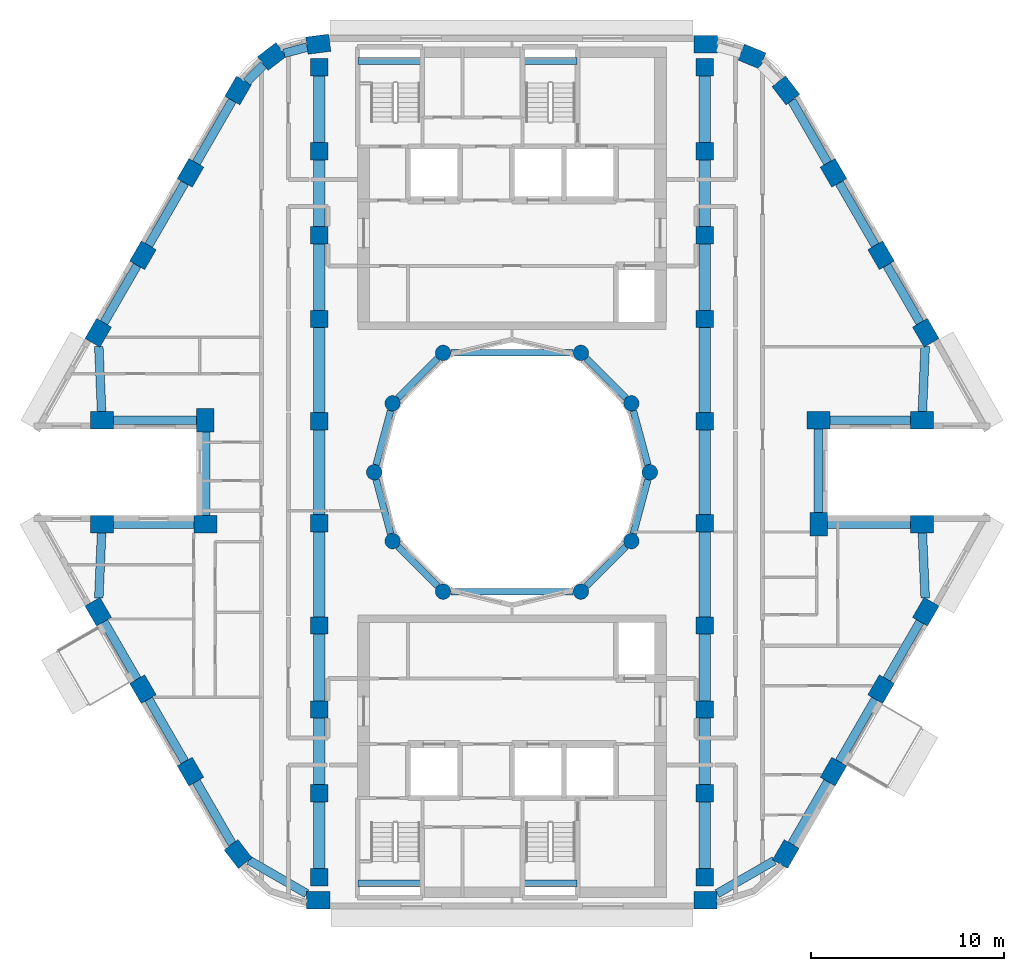
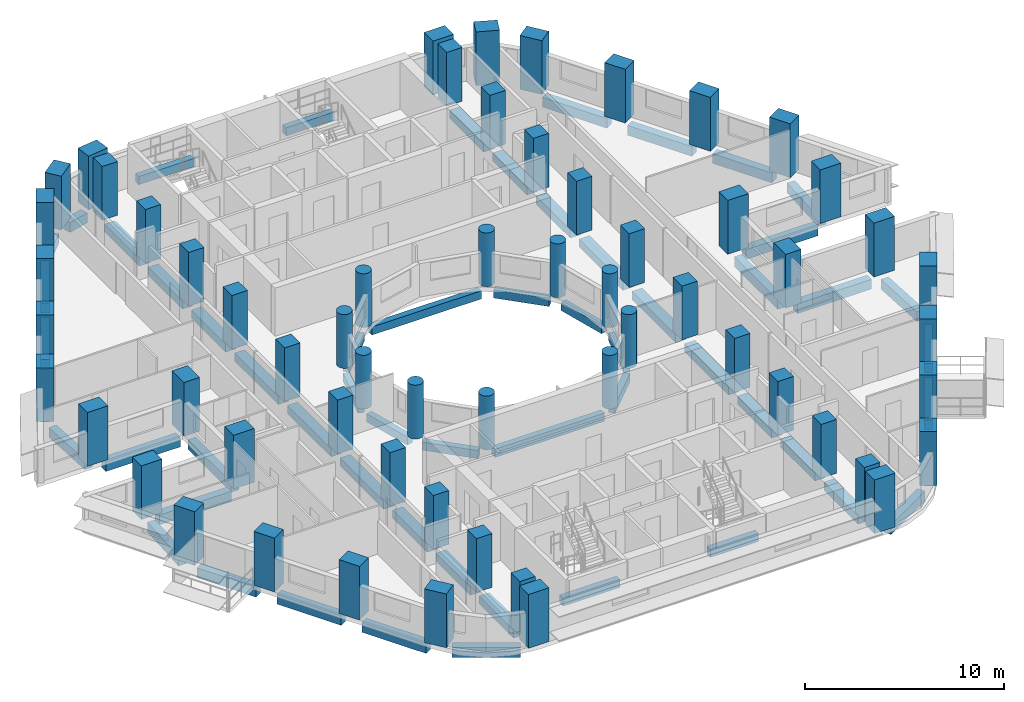
# One storey, part 1 of 15: 60 columns, 58 beams.
"""IFC4 building model written with IfcOpenShell, lengths in metres."""

from ifc_helpers import new_model, si_unit, direction, frame, origin, origin_2d, place, context, subcontext, project, spatial, rectangle, circle, extrude, material, material_profile, profile_set, type_object, element, save


model = new_model("IFC4")

# Units and contexts
model_context = context("Model", 3, precision=1e-05, world=origin(), true_north=direction((0.0, 1.0)))
body_context = subcontext(model_context, "Body", "Model", "MODEL_VIEW")
ifc_project = project(units=[si_unit("LENGTHUNIT", "METRE"), si_unit("AREAUNIT", "SQUARE_METRE"), si_unit("VOLUMEUNIT", "CUBIC_METRE"), si_unit("PLANEANGLEUNIT", "RADIAN"), si_unit("MASSUNIT", "GRAM", prefix="KILO")], contexts=[model_context])

# Site, building, storey
site_placement = place(None, origin())
site = spatial("IfcSite", under=ifc_project, at=site_placement, CompositionType="ELEMENT")
building_placement = place(site_placement, origin())
building = spatial("IfcBuilding", under=site, at=building_placement, Name="Nakaniwa Court", CompositionType="ELEMENT")
storey_placement = place(building_placement, frame((0.0, 0.0, 216.300048828125)))
storey = spatial("IfcBuildingStorey", under=building, at=storey_placement, Name="L57", CompositionType="ELEMENT", Elevation=216.300048828125)

# Columns
ifc_material = material(Name="Concrete C80/100", Category="concrete")
ifc_material_profile_1 = material_profile(ifc_material, rectangle(XDim=1.199951171875, YDim=0.89990234375, at=origin_2d()), Name="Concrete C80/100 RC 1200x900 perimeter column")
ifc_profile_set_1 = profile_set([ifc_material_profile_1], Name="Concrete C80/100")
column_type_1 = type_object("IfcColumnType", Name="Concrete C80/100 RC 1200x900 perimeter column", PredefinedType="COLUMN", material=ifc_profile_set_1)
for number, where, z_axis, x_axis, name in (
    (1, (69.95458984375, 102.199951171875, 0.0), (0.0, 0.0, 1.0), (-0.991442583111, -0.130543496177, 0.0), "COLUMN CO-01"),
    (2, (67.552001953125, 101.560302734375, 0.0), (0.0, 0.0, 1.0), (-0.793363965062, -0.608747582288, 0.0), "COLUMN CO-02"),
    (3, (65.796875, 99.799560546875, 0.0), (0.0, 0.0, 1.0), (-0.5, -0.866025403784, 0.0), "COLUMN CO-03"),
    (4, (63.328857421875, 95.524658203125, 0.0), (0.0, 0.0, 1.0), (-0.5, -0.866025403784, 0.0), "COLUMN CO-04"),
    (5, (60.860595703125, 91.249755859375, 0.0), (0.0, 0.0, 1.0), (-0.5, -0.866025403784, 0.0), "COLUMN CO-05"),
    (6, (58.541015625, 87.232177734375, 0.0), (0.0, 0.0, 1.0), (-0.5, -0.866025403784, 0.0), "COLUMN CO-06"),
    (7, (58.736083984375, 82.699951171875, 0.0), (0.0, 0.0, 1.0), (1.0, 0.0, 0.0), "COLUMN CO-08"),
    (8, (64.1005859375, 82.699951171875, 0.0), (0.0, 0.0, 1.0), (0.0, -1.0, 0.0), "COLUMN CO-09"),
    (9, (64.1005859375, 77.300048828125, 0.0), (0.0, 0.0, 1.0), (-1.0, 0.0, 0.0), "COLUMN CO-10"),
    (10, (58.736083984375, 77.300048828125, 0.0), (0.0, 0.0, 1.0), (-1.0, 0.0, 0.0), "COLUMN CO-11"),
    (11, (58.541015625, 72.767822265625, 0.0), (0.0, 0.0, 1.0), (0.5, -0.866025403784, 0.0), "COLUMN CO-13"),
    (12, (60.860595703125, 68.750244140625, 0.0), (0.0, 0.0, 1.0), (0.5, -0.866025403784, 0.0), "COLUMN CO-14"),
    (13, (63.328857421875, 64.475341796875, 0.0), (0.0, 0.0, 1.0), (0.5, -0.866025403784, 0.0), "COLUMN CO-15"),
    (14, (65.796875, 60.200439453125, 0.0), (0.0, 0.0, 1.0), (0.608761429009, -0.793353340291, 0.0), "COLUMN CO-16"),
    (15, (69.95458984375, 57.800048828125, 0.0), (0.0, 0.0, 1.0), (1.0, 0.0, 0.0), "COLUMN CO-17"),
    (16, (90.03955078125, 57.800048828125, 0.0), (0.0, 0.0, 1.0), (1.0, 0.0, 0.0), "COLUMN CO-21"),
    (17, (94.203125, 60.200439453125, 0.0), (0.0, 0.0, 1.0), (0.5, 0.866025403784, 0.0), "COLUMN CO-22"),
    (18, (96.671142578125, 64.475341796875, 0.0), (0.0, 0.0, 1.0), (0.5, 0.866025403784, 0.0), "COLUMN CO-23"),
    (19, (99.139404296875, 68.750244140625, 0.0), (0.0, 0.0, 1.0), (0.5, 0.866025403784, 0.0), "COLUMN CO-24"),
    (20, (101.458984375, 72.767822265625, 0.0), (0.0, 0.0, 1.0), (0.5, 0.866025403784, 0.0), "COLUMN CO-25"),
    (21, (101.263916015625, 77.300048828125, 0.0), (0.0, 0.0, 1.0), (-1.0, 0.0, 0.0), "COLUMN CO-27"),
    (22, (95.8994140625, 77.300048828125, 0.0), (0.0, 0.0, 1.0), (0.0, 1.0, 0.0), "COLUMN CO-28"),
    (23, (95.8994140625, 82.699951171875, 0.0), (0.0, 0.0, 1.0), (1.0, 0.0, 0.0), "COLUMN CO-29"),
    (24, (101.263916015625, 82.699951171875, 0.0), (0.0, 0.0, 1.0), (1.0, 0.0, 0.0), "COLUMN CO-30"),
    (25, (101.458984375, 87.232177734375, 0.0), (0.0, 0.0, 1.0), (-0.5, 0.866025403784, 0.0), "COLUMN CO-32"),
    (26, (99.139404296875, 91.249755859375, 0.0), (0.0, 0.0, 1.0), (-0.5, 0.866025403784, 0.0), "COLUMN CO-33"),
    (27, (96.671142578125, 95.524658203125, 0.0), (0.0, 0.0, 1.0), (-0.5, 0.866025403784, 0.0), "COLUMN CO-34"),
    (28, (94.203125, 99.799560546875, 0.0), (0.0, 0.0, 1.0), (-0.608761429009, 0.793353340291, 0.0), "COLUMN CO-35"),
    (29, (92.447998046875, 101.560302734375, 0.0), (0.0, 0.0, 1.0), (-0.923879532511, 0.382683432365, 0.0), "COLUMN CO-36"),
    (30, (90.04541015625, 102.199951171875, 0.0), (0.0, 0.0, 1.0), (-1.0, 0.0, 0.0), "COLUMN CO-37"),
):
    element("IfcColumn", number, at=place(storey_placement, frame(where, z_axis=z_axis, x_axis=x_axis)), inside=storey, type_object=column_type_1, Name=name, PredefinedType="COLUMN", context=body_context, shape_type="SweptSolid", body=[
        extrude(rectangle(XDim=1.199951171875, YDim=0.89990234375, at=origin_2d()), origin(), (0.0, 0.0, 1.0), 3.300048828125),
    ])
ifc_material_profile_2 = material_profile(ifc_material, rectangle(XDim=0.89990234375, YDim=0.89990234375, at=origin_2d()), Name="Concrete C80/100 RC 900x900 spine column")
ifc_profile_set_2 = profile_set([ifc_material_profile_2], Name="Concrete C80/100")
column_type_2 = type_object("IfcColumnType", Name="Concrete C80/100 RC 900x900 spine column", PredefinedType="COLUMN", material=ifc_profile_set_2)
for number, where, z_axis, x_axis, name in (
    (31, (90.0, 59.0, 0.0), (0.0, 0.0, 1.0), (0.0, 1.0, 0.0), "COLUMN CS-01"),
    (32, (90.0, 63.35009765625, 0.0), (0.0, 0.0, 1.0), (0.0, 1.0, 0.0), "COLUMN CS-02"),
    (33, (90.0, 67.699951171875, 0.0), (0.0, 0.0, 1.0), (0.0, 1.0, 0.0), "COLUMN CS-03"),
    (34, (90.0, 72.050048828125, 0.0), (0.0, 0.0, 1.0), (0.0, 1.0, 0.0), "COLUMN CS-04"),
    (35, (90.0, 77.35009765625, 0.0), (0.0, 0.0, 1.0), (0.0, 1.0, 0.0), "COLUMN CS-05"),
    (36, (90.0, 82.64990234375, 0.0), (0.0, 0.0, 1.0), (0.0, 1.0, 0.0), "COLUMN CS-06"),
    (37, (90.0, 87.949951171875, 0.0), (0.0, 0.0, 1.0), (0.0, 1.0, 0.0), "COLUMN CS-07"),
    (38, (90.0, 92.300048828125, 0.0), (0.0, 0.0, 1.0), (0.0, 1.0, 0.0), "COLUMN CS-08"),
    (39, (90.0, 96.64990234375, 0.0), (0.0, 0.0, 1.0), (0.0, 1.0, 0.0), "COLUMN CS-09"),
    (40, (90.0, 101.0, 0.0), (0.0, 0.0, 1.0), (0.0, 1.0, 0.0), "COLUMN CS-10"),
    (41, (70.0, 101.0, 0.0), (0.0, 0.0, 1.0), (0.0, -1.0, 0.0), "COLUMN CS-11"),
    (42, (70.0, 96.64990234375, 0.0), (0.0, 0.0, 1.0), (0.0, -1.0, 0.0), "COLUMN CS-12"),
    (43, (70.0, 92.300048828125, 0.0), (0.0, 0.0, 1.0), (0.0, -1.0, 0.0), "COLUMN CS-13"),
    (44, (70.0, 87.949951171875, 0.0), (0.0, 0.0, 1.0), (0.0, -1.0, 0.0), "COLUMN CS-14"),
    (45, (70.0, 82.64990234375, 0.0), (0.0, 0.0, 1.0), (0.0, -1.0, 0.0), "COLUMN CS-15"),
    (46, (70.0, 77.35009765625, 0.0), (0.0, 0.0, 1.0), (0.0, -1.0, 0.0), "COLUMN CS-16"),
    (47, (70.0, 72.050048828125, 0.0), (0.0, 0.0, 1.0), (0.0, -1.0, 0.0), "COLUMN CS-17"),
    (48, (70.0, 67.699951171875, 0.0), (0.0, 0.0, 1.0), (0.0, -1.0, 0.0), "COLUMN CS-18"),
    (49, (70.0, 63.35009765625, 0.0), (0.0, 0.0, 1.0), (0.0, -1.0, 0.0), "COLUMN CS-19"),
    (50, (70.0, 59.0, 0.0), (0.0, 0.0, 1.0), (0.0, -1.0, 0.0), "COLUMN CS-20"),
):
    element("IfcColumn", number, at=place(storey_placement, frame(where, z_axis=z_axis, x_axis=x_axis)), inside=storey, type_object=column_type_2, Name=name, PredefinedType="COLUMN", context=body_context, shape_type="SweptSolid", body=[
        extrude(rectangle(XDim=0.89990234375, YDim=0.89990234375, at=origin_2d()), origin(), (0.0, 0.0, 1.0), 3.300048828125),
    ])
ifc_material_profile_3 = material_profile(ifc_material, circle(Radius=0.39990234375, at=origin_2d()), Name="Concrete C80/100 RC D800 inner ring column")
ifc_profile_set_3 = profile_set([ifc_material_profile_3], Name="Concrete C80/100")
column_type_3 = type_object("IfcColumnType", Name="Concrete C80/100 RC D800 inner ring column", PredefinedType="COLUMN", material=ifc_profile_set_3)
for number, where, z_axis, x_axis, name in (
    (51, (87.14990234375, 80.0, 0.0), (0.0, 0.0, 1.0), (0.0, 1.0, 0.0), "COLUMN CI-01"),
    (52, (86.192138671875, 83.574951171875, 0.0), (0.0, 0.0, 1.0), (-0.5, 0.866025403784, 0.0), "COLUMN CI-02"),
    (53, (83.574951171875, 86.192138671875, 0.0), (0.0, 0.0, 1.0), (-0.866025403784, 0.5, 0.0), "COLUMN CI-03"),
    (54, (76.425048828125, 86.192138671875, 0.0), (0.0, 0.0, 1.0), (-0.866025403784, -0.5, 0.0), "COLUMN CI-05"),
    (55, (73.807861328125, 83.574951171875, 0.0), (0.0, 0.0, 1.0), (-0.5, -0.866025403784, 0.0), "COLUMN CI-06"),
    (56, (72.85009765625, 80.0, 0.0), (0.0, 0.0, 1.0), (0.0, -1.0, 0.0), "COLUMN CI-07"),
    (57, (73.807861328125, 76.425048828125, 0.0), (0.0, 0.0, 1.0), (0.5, -0.866025403784, 0.0), "COLUMN CI-08"),
    (58, (76.425048828125, 73.807861328125, 0.0), (0.0, 0.0, 1.0), (0.866025403784, -0.5, 0.0), "COLUMN CI-09"),
    (59, (83.574951171875, 73.807861328125, 0.0), (0.0, 0.0, 1.0), (0.866025403784, 0.5, 0.0), "COLUMN CI-11"),
    (60, (86.192138671875, 76.425048828125, 0.0), (0.0, 0.0, 1.0), (0.5, 0.866025403784, 0.0), "COLUMN CI-12"),
):
    element("IfcColumn", number, at=place(storey_placement, frame(where, z_axis=z_axis, x_axis=x_axis)), inside=storey, type_object=column_type_3, Name=name, PredefinedType="COLUMN", context=body_context, shape_type="SweptSolid", body=[
        extrude(circle(Radius=0.39990234375, at=origin_2d()), origin(), (0.0, 0.0, 1.0), 3.300048828125),
    ])

# Beams
ifc_material_profile_4 = material_profile(ifc_material, rectangle(XDim=0.35009765625, YDim=0.5, at=origin_2d()), Name="Concrete C80/100 RC 350x500 landing ledge beam")
ifc_profile_set_4 = profile_set([ifc_material_profile_4], Name="Concrete C80/100")
beam_type_1 = type_object("IfcBeamType", Name="Concrete C80/100 RC 350x500 landing ledge beam", PredefinedType="BEAM", material=ifc_profile_set_4)
beam_1_placement = place(storey_placement, frame((72.02490234375, 101.324951171875, 1.199951171875), z_axis=(1.0, 0.0, 0.0), x_axis=(0.0, 1.0, 0.0)))
element("IfcBeam", 61, at=beam_1_placement, inside=storey, type_object=beam_type_1, Name="LANDING LEDGE BEAM", PredefinedType="BEAM", context=body_context, shape_type="SweptSolid", body=[
    extrude(rectangle(XDim=0.35009765625, YDim=0.5, at=origin_2d()), origin(), (0.0, 0.0, 1.0), 3.300048828125),
])
beam_2_placement = place(storey_placement, frame((80.574951171875, 101.324951171875, 1.199951171875), z_axis=(1.0, 0.0, 0.0), x_axis=(0.0, 1.0, 0.0)))
element("IfcBeam", 62, at=beam_2_placement, inside=storey, type_object=beam_type_1, Name="LANDING LEDGE BEAM", PredefinedType="BEAM", context=body_context, shape_type="SweptSolid", body=[
    extrude(rectangle(XDim=0.35009765625, YDim=0.5, at=origin_2d()), origin(), (0.0, 0.0, 1.0), 2.800048828125),
])
beam_3_placement = place(storey_placement, frame((72.02490234375, 58.675048828125, 1.199951171875), z_axis=(1.0, 0.0, 0.0), x_axis=(0.0, 1.0, 0.0)))
element("IfcBeam", 63, at=beam_3_placement, inside=storey, type_object=beam_type_1, Name="LANDING LEDGE BEAM", PredefinedType="BEAM", context=body_context, shape_type="SweptSolid", body=[
    extrude(rectangle(XDim=0.35009765625, YDim=0.5, at=origin_2d()), origin(), (0.0, 0.0, 1.0), 3.300048828125),
])
beam_4_placement = place(storey_placement, frame((80.574951171875, 58.675048828125, 1.199951171875), z_axis=(1.0, 0.0, 0.0), x_axis=(0.0, 1.0, 0.0)))
element("IfcBeam", 64, at=beam_4_placement, inside=storey, type_object=beam_type_1, Name="LANDING LEDGE BEAM", PredefinedType="BEAM", context=body_context, shape_type="SweptSolid", body=[
    extrude(rectangle(XDim=0.35009765625, YDim=0.5, at=origin_2d()), origin(), (0.0, 0.0, 1.0), 2.800048828125),
])
ifc_material_profile_5 = material_profile(ifc_material, rectangle(XDim=0.35009765625, YDim=0.5, at=origin_2d()), Name="Concrete C80/100 RC 350x500 ring beam")
ifc_profile_set_5 = profile_set([ifc_material_profile_5], Name="Concrete C80/100")
beam_type_2 = type_object("IfcBeamType", Name="Concrete C80/100 RC 350x500 ring beam", PredefinedType="BEAM", material=ifc_profile_set_5)
beam_5_placement = place(storey_placement, frame((87.04638671875, 80.386474609375, -0.525146484375), z_axis=(-0.258778150207, 0.965936783115, 0.0), x_axis=(-0.965936783115, -0.258778150207, 0.0)))
element("IfcBeam", 65, at=beam_5_placement, inside=storey, type_object=beam_type_2, Name="RING BEAM", PredefinedType="BEAM", context=body_context, shape_type="SweptSolid", body=[
    extrude(rectangle(XDim=0.35009765625, YDim=0.5, at=origin_2d()), origin(), (0.0, 0.0, 1.0), 2.901123046875),
])
beam_6_placement = place(storey_placement, frame((85.9091796875, 83.85791015625, -0.525146484375), z_axis=(-0.707106781187, 0.707106781187, 0.0), x_axis=(-0.707106781187, -0.707106781187, 0.0)))
element("IfcBeam", 66, at=beam_6_placement, inside=storey, type_object=beam_type_2, Name="RING BEAM", PredefinedType="BEAM", context=body_context, shape_type="SweptSolid", body=[
    extrude(rectangle(XDim=0.35009765625, YDim=0.5, at=origin_2d()), origin(), (0.0, 0.0, 1.0), 2.90087890625),
])
beam_7_placement = place(storey_placement, frame((83.175048828125, 86.192138671875, -0.525146484375), z_axis=(-1.0, 0.0, 0.0), x_axis=(0.0, -1.0, 0.0)))
element("IfcBeam", 67, at=beam_7_placement, inside=storey, type_object=beam_type_2, Name="RING BEAM", PredefinedType="BEAM", context=body_context, shape_type="SweptSolid", body=[
    extrude(rectangle(XDim=0.35009765625, YDim=0.5, at=origin_2d()), origin(), (0.0, 0.0, 1.0), 6.35009765625),
])
beam_8_placement = place(storey_placement, frame((76.14208984375, 85.9091796875, -0.525146484375), z_axis=(-0.707106781187, -0.707106781187, 0.0), x_axis=(0.707106781187, -0.707106781187, 0.0)))
element("IfcBeam", 68, at=beam_8_placement, inside=storey, type_object=beam_type_2, Name="RING BEAM", PredefinedType="BEAM", context=body_context, shape_type="SweptSolid", body=[
    extrude(rectangle(XDim=0.35009765625, YDim=0.5, at=origin_2d()), origin(), (0.0, 0.0, 1.0), 2.90087890625),
])
for number, where, z_axis, x_axis, name in (
    (69, (73.704345703125, 83.188720703125, -0.525146484375), (-0.258778150207, -0.965936783115, 0.0), (0.965936783115, -0.258778150207, 0.0), "RING BEAM"),
    (70, (72.95361328125, 79.613525390625, -0.525146484375), (0.258778150207, -0.965936783115, 0.0), (0.965936783115, 0.258778150207, 0.0), "RING BEAM"),
):
    element("IfcBeam", number, at=place(storey_placement, frame(where, z_axis=z_axis, x_axis=x_axis)), inside=storey, type_object=beam_type_2, Name=name, PredefinedType="BEAM", context=body_context, shape_type="SweptSolid", body=[
        extrude(rectangle(XDim=0.35009765625, YDim=0.5, at=origin_2d()), origin(), (0.0, 0.0, 1.0), 2.901123046875),
    ])
beam_9_placement = place(storey_placement, frame((74.0908203125, 76.14208984375, -0.525146484375), z_axis=(0.707106781187, -0.707106781187, 0.0), x_axis=(0.707106781187, 0.707106781187, 0.0)))
element("IfcBeam", 71, at=beam_9_placement, inside=storey, type_object=beam_type_2, Name="RING BEAM", PredefinedType="BEAM", context=body_context, shape_type="SweptSolid", body=[
    extrude(rectangle(XDim=0.35009765625, YDim=0.5, at=origin_2d()), origin(), (0.0, 0.0, 1.0), 2.90087890625),
])
beam_10_placement = place(storey_placement, frame((76.824951171875, 73.807861328125, -0.525146484375), z_axis=(1.0, 0.0, 0.0), x_axis=(0.0, 1.0, 0.0)))
element("IfcBeam", 72, at=beam_10_placement, inside=storey, type_object=beam_type_2, Name="RING BEAM", PredefinedType="BEAM", context=body_context, shape_type="SweptSolid", body=[
    extrude(rectangle(XDim=0.35009765625, YDim=0.5, at=origin_2d()), origin(), (0.0, 0.0, 1.0), 6.35009765625),
])
beam_11_placement = place(storey_placement, frame((83.85791015625, 74.0908203125, -0.525146484375), z_axis=(0.707106781187, 0.707106781187, 0.0), x_axis=(-0.707106781187, 0.707106781187, 0.0)))
element("IfcBeam", 73, at=beam_11_placement, inside=storey, type_object=beam_type_2, Name="RING BEAM", PredefinedType="BEAM", context=body_context, shape_type="SweptSolid", body=[
    extrude(rectangle(XDim=0.35009765625, YDim=0.5, at=origin_2d()), origin(), (0.0, 0.0, 1.0), 2.90087890625),
])
beam_12_placement = place(storey_placement, frame((86.295654296875, 76.811279296875, -0.525146484375), z_axis=(0.258778150207, 0.965936783115, 0.0), x_axis=(-0.965936783115, 0.258778150207, 0.0)))
element("IfcBeam", 74, at=beam_12_placement, inside=storey, type_object=beam_type_2, Name="RING BEAM", PredefinedType="BEAM", context=body_context, shape_type="SweptSolid", body=[
    extrude(rectangle(XDim=0.35009765625, YDim=0.5, at=origin_2d()), origin(), (0.0, 0.0, 1.0), 2.901123046875),
])
ifc_material_profile_6 = material_profile(ifc_material, rectangle(XDim=0.449951171875, YDim=0.60009765625, at=origin_2d()), Name="Concrete C80/100 RC 450x600 spandrel beam")
ifc_profile_set_6 = profile_set([ifc_material_profile_6], Name="Concrete C80/100")
beam_type_3 = type_object("IfcBeamType", Name="Concrete C80/100 RC 450x600 spandrel beam", PredefinedType="BEAM", material=ifc_profile_set_6)
beam_13_placement = place(storey_placement, frame((69.3701171875, 102.044189453125, -0.574951171875), z_axis=(-0.966320442624, -0.257341800272, 0.0), x_axis=(0.257341800272, -0.966320442624, 0.0)))
element("IfcBeam", 75, at=beam_13_placement, inside=storey, type_object=beam_type_3, Name="SPANDREL BEAM", PredefinedType="BEAM", context=body_context, shape_type="SweptSolid", body=[
    extrude(rectangle(XDim=0.449951171875, YDim=0.60009765625, at=origin_2d()), origin(), (0.0, 0.0, 1.0), 1.2314453125),
])
beam_14_placement = place(storey_placement, frame((67.124755859375, 101.131591796875, -0.574951171875), z_axis=(-0.705943141011, -0.708268509578, 0.0), x_axis=(0.708268509578, -0.705943141011, 0.0)))
element("IfcBeam", 76, at=beam_14_placement, inside=storey, type_object=beam_type_3, Name="SPANDREL BEAM", PredefinedType="BEAM", context=body_context, shape_type="SweptSolid", body=[
    extrude(rectangle(XDim=0.449951171875, YDim=0.60009765625, at=origin_2d()), origin(), (0.0, 0.0, 1.0), 1.259765625),
])
for number, where, z_axis, x_axis, name in (
    (77, (65.496826171875, 99.27978515625, -0.574951171875), (-0.499969460568, -0.866043035016, 0.0), (0.866043035016, -0.499969460568, 0.0), "SPANDREL BEAM"),
    (78, (63.02880859375, 95.0048828125, -0.574951171875), (-0.500018470369, -0.866014739649, 0.0), (0.866014739649, -0.500018470369, 0.0), "SPANDREL BEAM"),
):
    element("IfcBeam", number, at=place(storey_placement, frame(where, z_axis=z_axis, x_axis=x_axis)), inside=storey, type_object=beam_type_3, Name=name, PredefinedType="BEAM", context=body_context, shape_type="SweptSolid", body=[
        extrude(rectangle(XDim=0.449951171875, YDim=0.60009765625, at=origin_2d()), origin(), (0.0, 0.0, 1.0), 3.736083984375),
    ])
beam_15_placement = place(storey_placement, frame((60.560791015625, 90.72998046875, -0.574951171875), z_axis=(-0.500048133448, -0.865997612142, 0.0), x_axis=(0.865997612142, -0.500048133448, 0.0)))
element("IfcBeam", 79, at=beam_15_placement, inside=storey, type_object=beam_type_3, Name="SPANDREL BEAM", PredefinedType="BEAM", context=body_context, shape_type="SweptSolid", body=[
    extrude(rectangle(XDim=0.449951171875, YDim=0.60009765625, at=origin_2d()), origin(), (0.0, 0.0, 1.0), 3.439208984375),
])
beam_16_placement = place(storey_placement, frame((58.57177734375, 86.521728515625, -0.574951171875), z_axis=(0.042897265713, -0.999079488627, 0.0), x_axis=(0.999079488627, 0.042897265713, 0.0)))
element("IfcBeam", 80, at=beam_16_placement, inside=storey, type_object=beam_type_3, Name="SPANDREL BEAM", PredefinedType="BEAM", context=body_context, shape_type="SweptSolid", body=[
    extrude(rectangle(XDim=0.449951171875, YDim=0.60009765625, at=origin_2d()), origin(), (0.0, 0.0, 1.0), 3.375),
])
beam_17_placement = place(storey_placement, frame((59.3359375, 82.699951171875, -0.574951171875), z_axis=(1.0, 0.0, 0.0), x_axis=(0.0, 1.0, 0.0)))
element("IfcBeam", 81, at=beam_17_placement, inside=storey, type_object=beam_type_3, Name="SPANDREL BEAM", PredefinedType="BEAM", context=body_context, shape_type="SweptSolid", body=[
    extrude(rectangle(XDim=0.449951171875, YDim=0.60009765625, at=origin_2d()), origin(), (0.0, 0.0, 1.0), 4.314453125),
])
beam_18_placement = place(storey_placement, frame((64.1005859375, 82.10009765625, -0.574951171875), z_axis=(0.0, -1.0, 0.0), x_axis=(1.0, 0.0, 0.0)))
element("IfcBeam", 82, at=beam_18_placement, inside=storey, type_object=beam_type_3, Name="SPANDREL BEAM", PredefinedType="BEAM", context=body_context, shape_type="SweptSolid", body=[
    extrude(rectangle(XDim=0.449951171875, YDim=0.60009765625, at=origin_2d()), origin(), (0.0, 0.0, 1.0), 4.35009765625),
])
beam_19_placement = place(storey_placement, frame((63.50048828125, 77.300048828125, -0.574951171875), z_axis=(-1.0, 0.0, 0.0), x_axis=(0.0, -1.0, 0.0)))
element("IfcBeam", 83, at=beam_19_placement, inside=storey, type_object=beam_type_3, Name="SPANDREL BEAM", PredefinedType="BEAM", context=body_context, shape_type="SweptSolid", body=[
    extrude(rectangle(XDim=0.449951171875, YDim=0.60009765625, at=origin_2d()), origin(), (0.0, 0.0, 1.0), 4.16455078125),
])
beam_20_placement = place(storey_placement, frame((58.716552734375, 76.85009765625, -0.574951171875), z_axis=(-0.042897265713, -0.999079488627, 0.0), x_axis=(0.999079488627, -0.042897265713, 0.0)))
element("IfcBeam", 84, at=beam_20_placement, inside=storey, type_object=beam_type_3, Name="SPANDREL BEAM", PredefinedType="BEAM", context=body_context, shape_type="SweptSolid", body=[
    extrude(rectangle(XDim=0.449951171875, YDim=0.60009765625, at=origin_2d()), origin(), (0.0, 0.0, 1.0), 3.375),
])
beam_21_placement = place(storey_placement, frame((58.841064453125, 72.248291015625, -0.574951171875), z_axis=(0.500048133448, -0.865997612142, 0.0), x_axis=(0.865997612142, 0.500048133448, 0.0)))
element("IfcBeam", 85, at=beam_21_placement, inside=storey, type_object=beam_type_3, Name="SPANDREL BEAM", PredefinedType="BEAM", context=body_context, shape_type="SweptSolid", body=[
    extrude(rectangle(XDim=0.449951171875, YDim=0.60009765625, at=origin_2d()), origin(), (0.0, 0.0, 1.0), 3.439208984375),
])
beam_22_placement = place(storey_placement, frame((61.16064453125, 68.230712890625, -0.574951171875), z_axis=(0.500018470369, -0.866014739649, 0.0), x_axis=(0.866014739649, 0.500018470369, 0.0)))
element("IfcBeam", 86, at=beam_22_placement, inside=storey, type_object=beam_type_3, Name="SPANDREL BEAM", PredefinedType="BEAM", context=body_context, shape_type="SweptSolid", body=[
    extrude(rectangle(XDim=0.449951171875, YDim=0.60009765625, at=origin_2d()), origin(), (0.0, 0.0, 1.0), 3.736083984375),
])
beam_23_placement = place(storey_placement, frame((63.62890625, 63.955810546875, -0.574951171875), z_axis=(0.499988672538, -0.866031943599, 0.0), x_axis=(0.866031943599, 0.499988672538, 0.0)))
element("IfcBeam", 87, at=beam_23_placement, inside=storey, type_object=beam_type_3, Name="SPANDREL BEAM", PredefinedType="BEAM", context=body_context, shape_type="SweptSolid", body=[
    extrude(rectangle(XDim=0.449951171875, YDim=0.60009765625, at=origin_2d()), origin(), (0.0, 0.0, 1.0), 3.73095703125),
])
beam_24_placement = place(storey_placement, frame((66.359375, 59.875732421875, -0.574951171875), z_axis=(0.866041005548, -0.49997297598, 0.0), x_axis=(0.49997297598, 0.866041005548, 0.0)))
element("IfcBeam", 88, at=beam_24_placement, inside=storey, type_object=beam_type_3, Name="SPANDREL BEAM", PredefinedType="BEAM", context=body_context, shape_type="SweptSolid", body=[
    extrude(rectangle(XDim=0.449951171875, YDim=0.60009765625, at=origin_2d()), origin(), (0.0, 0.0, 1.0), 3.458740234375),
])
beam_25_placement = place(storey_placement, frame((90.639404296875, 58.14599609375, -0.574951171875), z_axis=(0.866361397704, 0.499417589367, 0.0), x_axis=(-0.499417589367, 0.866361397704, 0.0)))
element("IfcBeam", 89, at=beam_25_placement, inside=storey, type_object=beam_type_3, Name="SPANDREL BEAM", PredefinedType="BEAM", context=body_context, shape_type="SweptSolid", body=[
    extrude(rectangle(XDim=0.449951171875, YDim=0.60009765625, at=origin_2d()), origin(), (0.0, 0.0, 1.0), 3.42041015625),
])
for number, where, z_axis, x_axis, name in (
    (90, (94.503173828125, 60.72021484375, -0.574951171875), (0.499969460568, 0.866043035016, 0.0), (-0.866043035016, 0.499969460568, 0.0), "SPANDREL BEAM"),
    (91, (96.97119140625, 64.9951171875, -0.574951171875), (0.500018470369, 0.866014739649, 0.0), (-0.866014739649, 0.500018470369, 0.0), "SPANDREL BEAM"),
):
    element("IfcBeam", number, at=place(storey_placement, frame(where, z_axis=z_axis, x_axis=x_axis)), inside=storey, type_object=beam_type_3, Name=name, PredefinedType="BEAM", context=body_context, shape_type="SweptSolid", body=[
        extrude(rectangle(XDim=0.449951171875, YDim=0.60009765625, at=origin_2d()), origin(), (0.0, 0.0, 1.0), 3.736083984375),
    ])
beam_26_placement = place(storey_placement, frame((99.439208984375, 69.27001953125, -0.574951171875), z_axis=(0.500048133448, 0.865997612142, 0.0), x_axis=(-0.865997612142, 0.500048133448, 0.0)))
element("IfcBeam", 92, at=beam_26_placement, inside=storey, type_object=beam_type_3, Name="SPANDREL BEAM", PredefinedType="BEAM", context=body_context, shape_type="SweptSolid", body=[
    extrude(rectangle(XDim=0.449951171875, YDim=0.60009765625, at=origin_2d()), origin(), (0.0, 0.0, 1.0), 3.439208984375),
])
beam_27_placement = place(storey_placement, frame((101.42822265625, 73.478271484375, -0.574951171875), z_axis=(-0.042897265713, 0.999079488627, 0.0), x_axis=(-0.999079488627, -0.042897265713, 0.0)))
element("IfcBeam", 93, at=beam_27_placement, inside=storey, type_object=beam_type_3, Name="SPANDREL BEAM", PredefinedType="BEAM", context=body_context, shape_type="SweptSolid", body=[
    extrude(rectangle(XDim=0.449951171875, YDim=0.60009765625, at=origin_2d()), origin(), (0.0, 0.0, 1.0), 3.375),
])
beam_28_placement = place(storey_placement, frame((100.6640625, 77.300048828125, -0.574951171875), z_axis=(-1.0, 0.0, 0.0), x_axis=(0.0, -1.0, 0.0)))
element("IfcBeam", 94, at=beam_28_placement, inside=storey, type_object=beam_type_3, Name="SPANDREL BEAM", PredefinedType="BEAM", context=body_context, shape_type="SweptSolid", body=[
    extrude(rectangle(XDim=0.449951171875, YDim=0.60009765625, at=origin_2d()), origin(), (0.0, 0.0, 1.0), 4.314453125),
])
beam_29_placement = place(storey_placement, frame((95.8994140625, 77.89990234375, -0.574951171875), z_axis=(0.0, 1.0, 0.0), x_axis=(-1.0, 0.0, 0.0)))
element("IfcBeam", 95, at=beam_29_placement, inside=storey, type_object=beam_type_3, Name="SPANDREL BEAM", PredefinedType="BEAM", context=body_context, shape_type="SweptSolid", body=[
    extrude(rectangle(XDim=0.449951171875, YDim=0.60009765625, at=origin_2d()), origin(), (0.0, 0.0, 1.0), 4.35009765625),
])
beam_30_placement = place(storey_placement, frame((96.49951171875, 82.699951171875, -0.574951171875), z_axis=(1.0, 0.0, 0.0), x_axis=(0.0, 1.0, 0.0)))
element("IfcBeam", 96, at=beam_30_placement, inside=storey, type_object=beam_type_3, Name="SPANDREL BEAM", PredefinedType="BEAM", context=body_context, shape_type="SweptSolid", body=[
    extrude(rectangle(XDim=0.449951171875, YDim=0.60009765625, at=origin_2d()), origin(), (0.0, 0.0, 1.0), 4.16455078125),
])
beam_31_placement = place(storey_placement, frame((101.283447265625, 83.14990234375, -0.574951171875), z_axis=(0.042897265713, 0.999079488627, 0.0), x_axis=(-0.999079488627, 0.042897265713, 0.0)))
element("IfcBeam", 97, at=beam_31_placement, inside=storey, type_object=beam_type_3, Name="SPANDREL BEAM", PredefinedType="BEAM", context=body_context, shape_type="SweptSolid", body=[
    extrude(rectangle(XDim=0.449951171875, YDim=0.60009765625, at=origin_2d()), origin(), (0.0, 0.0, 1.0), 3.375),
])
beam_32_placement = place(storey_placement, frame((101.158935546875, 87.751708984375, -0.574951171875), z_axis=(-0.500048133448, 0.865997612142, 0.0), x_axis=(-0.865997612142, -0.500048133448, 0.0)))
element("IfcBeam", 98, at=beam_32_placement, inside=storey, type_object=beam_type_3, Name="SPANDREL BEAM", PredefinedType="BEAM", context=body_context, shape_type="SweptSolid", body=[
    extrude(rectangle(XDim=0.449951171875, YDim=0.60009765625, at=origin_2d()), origin(), (0.0, 0.0, 1.0), 3.439208984375),
])
beam_33_placement = place(storey_placement, frame((98.83935546875, 91.769287109375, -0.574951171875), z_axis=(-0.500018470369, 0.866014739649, 0.0), x_axis=(-0.866014739649, -0.500018470369, 0.0)))
element("IfcBeam", 99, at=beam_33_placement, inside=storey, type_object=beam_type_3, Name="SPANDREL BEAM", PredefinedType="BEAM", context=body_context, shape_type="SweptSolid", body=[
    extrude(rectangle(XDim=0.449951171875, YDim=0.60009765625, at=origin_2d()), origin(), (0.0, 0.0, 1.0), 3.736083984375),
])
beam_34_placement = place(storey_placement, frame((96.37109375, 96.044189453125, -0.574951171875), z_axis=(-0.499988672538, 0.866031943599, 0.0), x_axis=(-0.866031943599, -0.499988672538, 0.0)))
element("IfcBeam", 100, at=beam_34_placement, inside=storey, type_object=beam_type_3, Name="SPANDREL BEAM", PredefinedType="BEAM", context=body_context, shape_type="SweptSolid", body=[
    extrude(rectangle(XDim=0.449951171875, YDim=0.60009765625, at=origin_2d()), origin(), (0.0, 0.0, 1.0), 3.73095703125),
])
ifc_material_profile_7 = material_profile(ifc_material, rectangle(XDim=0.60009765625, YDim=0.5, at=origin_2d()), Name="Concrete C80/100 RC 600x500 ring beam")
ifc_profile_set_7 = profile_set([ifc_material_profile_7], Name="Concrete C80/100")
beam_type_4 = type_object("IfcBeamType", Name="Concrete C80/100 RC 600x500 ring beam", PredefinedType="BEAM", material=ifc_profile_set_7)
for number, where, z_axis, x_axis, name in (
    (101, (90.0, 59.449951171875, -0.525146484375), (0.0, 1.0, 0.0), (-1.0, 0.0, 0.0), "RING BEAM"),
    (102, (90.0, 63.800048828125, -0.525146484375), (0.0, 1.0, 0.0), (-1.0, 0.0, 0.0), "RING BEAM"),
):
    element("IfcBeam", number, at=place(storey_placement, frame(where, z_axis=z_axis, x_axis=x_axis)), inside=storey, type_object=beam_type_4, Name=name, PredefinedType="BEAM", context=body_context, shape_type="SweptSolid", body=[
        extrude(rectangle(XDim=0.60009765625, YDim=0.5, at=origin_2d()), origin(), (0.0, 0.0, 1.0), 3.449951171875),
    ])
beam_35_placement = place(storey_placement, frame((90.0, 68.14990234375, -0.525146484375), z_axis=(0.0, 1.0, 0.0), x_axis=(-1.0, 0.0, 0.0)))
element("IfcBeam", 103, at=beam_35_placement, inside=storey, type_object=beam_type_4, Name="RING BEAM", PredefinedType="BEAM", context=body_context, shape_type="SweptSolid", body=[
    extrude(rectangle(XDim=0.60009765625, YDim=0.5, at=origin_2d()), origin(), (0.0, 0.0, 1.0), 3.4501953125),
])
for number, where, z_axis, x_axis, name in (
    (104, (90.0, 72.5, -0.525146484375), (0.0, 1.0, 0.0), (-1.0, 0.0, 0.0), "RING BEAM"),
    (105, (90.0, 77.800048828125, -0.525146484375), (0.0, 1.0, 0.0), (-1.0, 0.0, 0.0), "RING BEAM"),
    (106, (90.0, 83.10009765625, -0.525146484375), (0.0, 1.0, 0.0), (-1.0, 0.0, 0.0), "RING BEAM"),
):
    element("IfcBeam", number, at=place(storey_placement, frame(where, z_axis=z_axis, x_axis=x_axis)), inside=storey, type_object=beam_type_4, Name=name, PredefinedType="BEAM", context=body_context, shape_type="SweptSolid", body=[
        extrude(rectangle(XDim=0.60009765625, YDim=0.5, at=origin_2d()), origin(), (0.0, 0.0, 1.0), 4.39990234375),
    ])
beam_36_placement = place(storey_placement, frame((90.0, 88.39990234375, -0.525146484375), z_axis=(0.0, 1.0, 0.0), x_axis=(-1.0, 0.0, 0.0)))
element("IfcBeam", 107, at=beam_36_placement, inside=storey, type_object=beam_type_4, Name="RING BEAM", PredefinedType="BEAM", context=body_context, shape_type="SweptSolid", body=[
    extrude(rectangle(XDim=0.60009765625, YDim=0.5, at=origin_2d()), origin(), (0.0, 0.0, 1.0), 3.4501953125),
])
for number, where, z_axis, x_axis, name in (
    (108, (90.0, 92.75, -0.525146484375), (0.0, 1.0, 0.0), (-1.0, 0.0, 0.0), "RING BEAM"),
    (109, (90.0, 97.10009765625, -0.525146484375), (0.0, 1.0, 0.0), (-1.0, 0.0, 0.0), "RING BEAM"),
    (110, (70.0, 100.550048828125, -0.525146484375), (0.0, -1.0, 0.0), (1.0, 0.0, 0.0), "RING BEAM"),
    (111, (70.0, 96.199951171875, -0.525146484375), (0.0, -1.0, 0.0), (1.0, 0.0, 0.0), "RING BEAM"),
):
    element("IfcBeam", number, at=place(storey_placement, frame(where, z_axis=z_axis, x_axis=x_axis)), inside=storey, type_object=beam_type_4, Name=name, PredefinedType="BEAM", context=body_context, shape_type="SweptSolid", body=[
        extrude(rectangle(XDim=0.60009765625, YDim=0.5, at=origin_2d()), origin(), (0.0, 0.0, 1.0), 3.449951171875),
    ])
beam_37_placement = place(storey_placement, frame((70.0, 91.85009765625, -0.525146484375), z_axis=(0.0, -1.0, 0.0), x_axis=(1.0, 0.0, 0.0)))
element("IfcBeam", 112, at=beam_37_placement, inside=storey, type_object=beam_type_4, Name="RING BEAM", PredefinedType="BEAM", context=body_context, shape_type="SweptSolid", body=[
    extrude(rectangle(XDim=0.60009765625, YDim=0.5, at=origin_2d()), origin(), (0.0, 0.0, 1.0), 3.4501953125),
])
for number, where, z_axis, x_axis, name in (
    (113, (70.0, 87.5, -0.525146484375), (0.0, -1.0, 0.0), (1.0, 0.0, 0.0), "RING BEAM"),
    (114, (70.0, 82.199951171875, -0.525146484375), (0.0, -1.0, 0.0), (1.0, 0.0, 0.0), "RING BEAM"),
    (115, (70.0, 76.89990234375, -0.525146484375), (0.0, -1.0, 0.0), (1.0, 0.0, 0.0), "RING BEAM"),
):
    element("IfcBeam", number, at=place(storey_placement, frame(where, z_axis=z_axis, x_axis=x_axis)), inside=storey, type_object=beam_type_4, Name=name, PredefinedType="BEAM", context=body_context, shape_type="SweptSolid", body=[
        extrude(rectangle(XDim=0.60009765625, YDim=0.5, at=origin_2d()), origin(), (0.0, 0.0, 1.0), 4.39990234375),
    ])
beam_38_placement = place(storey_placement, frame((70.0, 71.60009765625, -0.525146484375), z_axis=(0.0, -1.0, 0.0), x_axis=(1.0, 0.0, 0.0)))
element("IfcBeam", 116, at=beam_38_placement, inside=storey, type_object=beam_type_4, Name="RING BEAM", PredefinedType="BEAM", context=body_context, shape_type="SweptSolid", body=[
    extrude(rectangle(XDim=0.60009765625, YDim=0.5, at=origin_2d()), origin(), (0.0, 0.0, 1.0), 3.4501953125),
])
for number, where, z_axis, x_axis, name in (
    (117, (70.0, 67.25, -0.525146484375), (0.0, -1.0, 0.0), (1.0, 0.0, 0.0), "RING BEAM"),
    (118, (70.0, 62.89990234375, -0.525146484375), (0.0, -1.0, 0.0), (1.0, 0.0, 0.0), "RING BEAM"),
):
    element("IfcBeam", number, at=place(storey_placement, frame(where, z_axis=z_axis, x_axis=x_axis)), inside=storey, type_object=beam_type_4, Name=name, PredefinedType="BEAM", context=body_context, shape_type="SweptSolid", body=[
        extrude(rectangle(XDim=0.60009765625, YDim=0.5, at=origin_2d()), origin(), (0.0, 0.0, 1.0), 3.449951171875),
    ])

save(model, "model.ifc")
